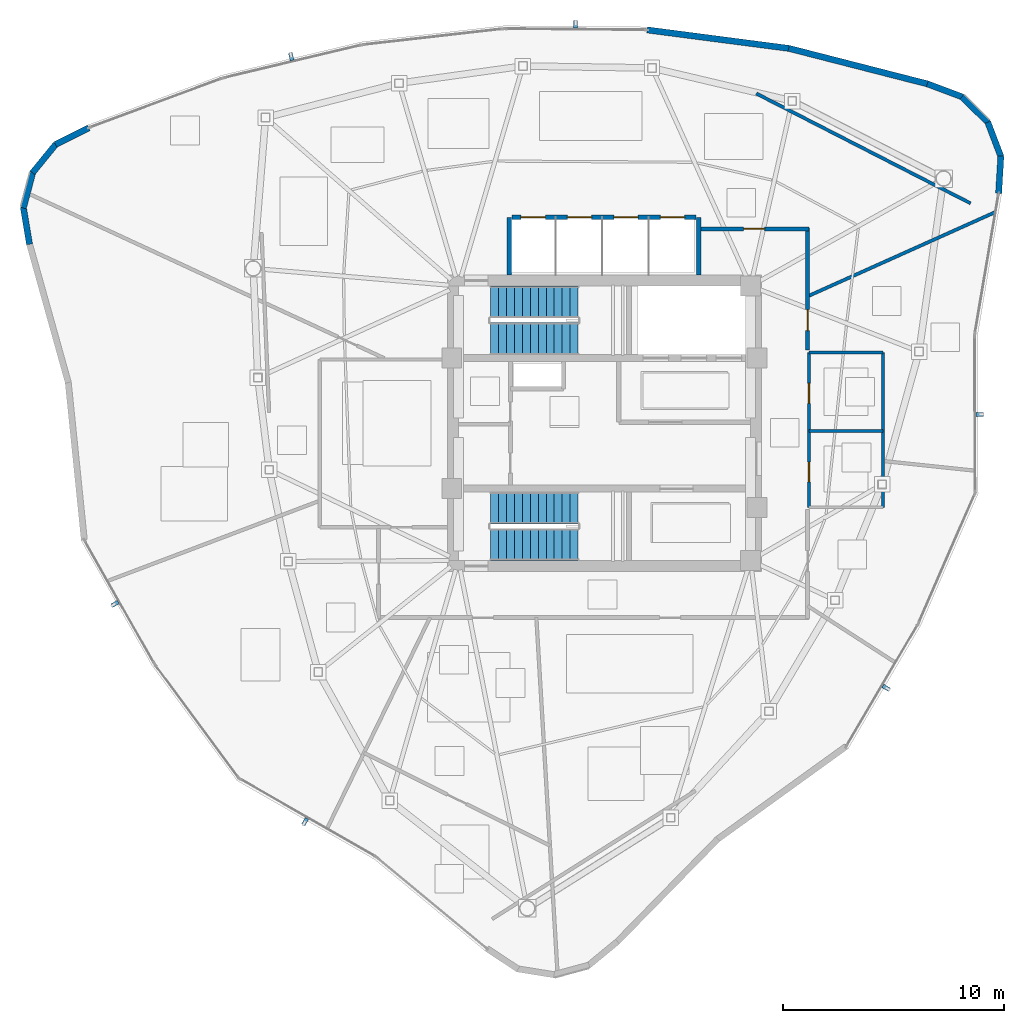
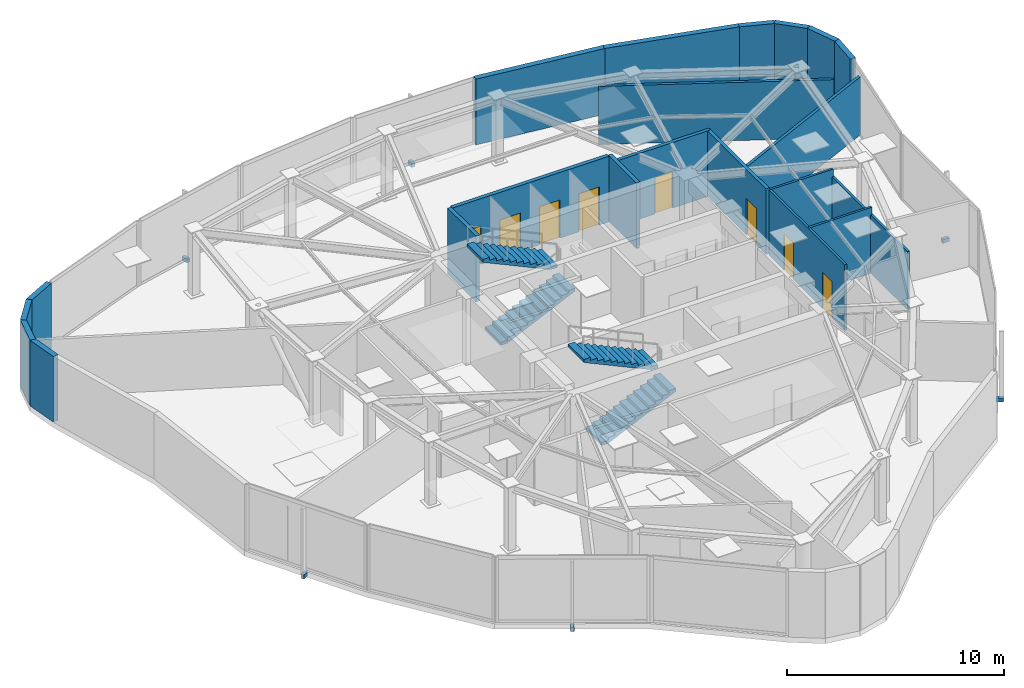
# One storey, part 9 of 11: 21 walls, 8 doors, 6 discrete accessories, 4 stair flights, 8 openings, 2 elements without a shape of their own.
"""IFC4 building model written with IfcOpenShell, lengths in metres."""

from ifc_helpers import new_model, si_unit, direction, frame, frame_2d, origin, origin_2d, place, context, subcontext, project, spatial, polyline, rectangle, outline, extrude, source, transform, mapped, material, layer, layer_set, type_object, type_shapes, element, fill, aggregate, save


model = new_model("IFC4")

# Units and contexts
model_context = context("Model", 3, precision=1e-05, world=origin(), true_north=direction((0.0, 1.0)))
body_context = subcontext(model_context, "Body", "Model", "MODEL_VIEW")
ifc_project = project(units=[si_unit("LENGTHUNIT", "METRE"), si_unit("AREAUNIT", "SQUARE_METRE"), si_unit("VOLUMEUNIT", "CUBIC_METRE"), si_unit("PLANEANGLEUNIT", "RADIAN"), si_unit("MASSUNIT", "GRAM", prefix="KILO")], contexts=[model_context])

# Site, building, storey
site_placement = place(None, origin())
site = spatial("IfcSite", under=ifc_project, at=site_placement, CompositionType="ELEMENT")
building_placement = place(site_placement, origin())
building = spatial("IfcBuilding", under=site, at=building_placement, Name="Tavelor Broadcast Tower", CompositionType="ELEMENT")
storey_placement = place(building_placement, frame((0.0, 0.0, 309.5)))
storey = spatial("IfcBuildingStorey", under=building, at=storey_placement, Name="L74", CompositionType="ELEMENT", Elevation=309.5)

# Wall, opening, door
ifc_material_1 = material(Name="Calcium Silicate Fire Board 180 mm", Category="gypsum")
ifc_layer_1 = layer(ifc_material_1, 0.179931640625)
ifc_layer_set_1 = layer_set([ifc_layer_1], Name="Calcium Silicate Fire Board 180 mm")
wall_type_1 = type_object("IfcWallType", Name="Fire-Rated Corridor Partition Wall 180 mm", PredefinedType="PARTITIONING", material=ifc_layer_set_1)
wall_1_placement = place(storey_placement, frame((54.300048828125, 53.780029296875, 0.0), z_axis=(0.0, 0.0, 1.0), x_axis=(1.0, 0.0, 0.0)))
wall_1 = element("IfcWall", 1, at=wall_1_placement, inside=storey, type_object=wall_type_1, Name="L74 Corridor Compartment Wall 01", PredefinedType="PARTITIONING", context=body_context, shape_type="SweptSolid", body=[
    extrude(rectangle(XDim=4.929931640625, YDim=0.179931640625, at=frame_2d((2.46484375, 0.0))), origin(), (0.0, 0.0, 1.0), 3.699951171875),
])
opening_1_placement = place(wall_1_placement, frame((1.989990234375, 0.0, 0.0)))
opening_1 = element("IfcOpeningElement", 2, at=opening_1_placement, cuts=wall_1, Name="Opening DR18", PredefinedType="OPENING", context=body_context, shape_type="SweptSolid", body=[
    extrude(rectangle(XDim=0.949951171875, YDim=2.050048828125, at=frame_2d((0.47509765625, 1.02490234375))), frame((0.0, 0.10009765625, 0.0), z_axis=(0.0, -1.0, 0.0), x_axis=(1.0, 0.0, 0.0)), (0.0, 0.0, 1.0), 0.199951171875),
])
ifc_material_2 = material(Name="Timber Solid Core Hardwood", Category="wood")
door_type_1 = type_object("IfcDoorType", Name="Corridor Rated Compartment Door 950x2050", OperationType="NOTDEFINED", PredefinedType="DOOR", material=ifc_material_2)
door_1_placement = place(opening_1_placement, origin())
door_1 = element("IfcDoor", 3, at=door_1_placement, inside=storey, type_object=door_type_1, Name="L74 Executive Reading Study Door R6", OperationType="SINGLE_SWING_RIGHT", OverallHeight=2.050048828125, OverallWidth=0.949951171875, PredefinedType="DOOR", context=body_context, shape_type="SweptSolid", body=[
    extrude(rectangle(XDim=0.949951171875, YDim=2.050048828125, at=frame_2d((0.47509765625, 1.02490234375))), frame((0.0, 0.02490234375, 0.0), z_axis=(0.0, -1.0, 0.0), x_axis=(1.0, 0.0, 0.0)), (0.0, 0.0, 1.0), 0.050048828125),
])
fill(opening_1, door_1)

wall_2_placement = place(storey_placement, frame((59.179931640625, 53.830078125, 0.0), z_axis=(0.0, 0.0, 1.0), x_axis=(0.0, -1.0, 0.0)))
wall_2 = element("IfcWall", 4, at=wall_2_placement, inside=storey, type_object=wall_type_1, Name="L74 Corridor Compartment Wall 02", PredefinedType="PARTITIONING", context=body_context, shape_type="SweptSolid", body=[
    extrude(rectangle(XDim=5.530029296875, YDim=0.179931640625, at=frame_2d((2.76513671875, 0.0))), origin(), (0.0, 0.0, 1.0), 3.699951171875),
])
opening_2_placement = place(wall_2_placement, frame((3.7001953125, 0.0, 0.0)))
opening_2 = element("IfcOpeningElement", 5, at=opening_2_placement, cuts=wall_2, Name="Opening DR18", PredefinedType="OPENING", context=body_context, shape_type="SweptSolid", body=[
    extrude(rectangle(XDim=0.949951171875, YDim=2.050048828125, at=frame_2d((0.47509765625, 1.02490234375))), frame((0.0, 0.10009765625, 0.0), z_axis=(0.0, -1.0, 0.0), x_axis=(1.0, 0.0, 0.0)), (0.0, 0.0, 1.0), 0.199951171875),
])
door_2_placement = place(opening_2_placement, origin())
door_2 = element("IfcDoor", 6, at=door_2_placement, inside=storey, type_object=door_type_1, Name="L74 Broadcast Crew Room Door R0", OperationType="SINGLE_SWING_LEFT", OverallHeight=2.050048828125, OverallWidth=0.949951171875, PredefinedType="DOOR", context=body_context, shape_type="SweptSolid", body=[
    extrude(rectangle(XDim=0.949951171875, YDim=2.050048828125, at=frame_2d((0.47509765625, 1.02490234375))), frame((0.0, 0.02490234375, 0.0), z_axis=(0.0, -1.0, 0.0), x_axis=(1.0, 0.0, 0.0)), (0.0, 0.0, 1.0), 0.050048828125),
])
fill(opening_2, door_2)

# Walls
ifc_material_3 = material(Name="Precast Concrete C40/50", Category="concrete")
ifc_layer_2 = layer(ifc_material_3, 0.280029296875)
ifc_layer_set_2 = layer_set([ifc_layer_2], Name="Precast Concrete C40/50")
wall_type_2 = type_object("IfcWallType", Name="Insulated Precast Terracotta Facade Wall 280 mm", PredefinedType="STANDARD", material=ifc_layer_set_2)
wall_3_placement = place(storey_placement, frame((26.700927734375, 58.345703125, 0.0), z_axis=(0.0, 0.0, 1.0), x_axis=(-0.894543147064, -0.446981608168, 0.0)))
element("IfcWall", 7, at=wall_3_placement, inside=storey, type_object=wall_type_2, Name="L74 Rounded Corner Structural Cladding Pier 01", PredefinedType="STANDARD", context=body_context, shape_type="SweptSolid", body=[
    extrude(rectangle(XDim=1.683837890625, YDim=0.280029296875, at=frame_2d((0.841796875, 0.0))), origin(), (0.0, 0.0, 1.0), 3.699951171875),
])
for number, where, z_axis, x_axis, name in (
    (8, (25.217529296875, 57.611328125, 0.0), (0.0, 0.0, 1.0), (-0.631295905222, -0.775542055629, 0.0), "L74 Rounded Corner Structural Cladding Pier 02"),
    (9, (24.175048828125, 56.340576171875, 0.0), (0.0, 0.0, 1.0), (-0.256253740023, -0.966609549262, 0.0), "L74 Rounded Corner Structural Cladding Pier 03"),
):
    element("IfcWall", number, at=place(storey_placement, frame(where, z_axis=z_axis, x_axis=x_axis)), inside=storey, type_object=wall_type_2, Name=name, PredefinedType="STANDARD", context=body_context, shape_type="SweptSolid", body=[
        extrude(rectangle(XDim=1.672119140625, YDim=0.280029296875, at=frame_2d((0.8359375, 0.0))), origin(), (0.0, 0.0, 1.0), 3.699951171875),
    ])
wall_4_placement = place(storey_placement, frame((23.747802734375, 54.753662109375, 0.0), z_axis=(0.0, 0.0, 1.0), x_axis=(0.164212114239, -0.98642505115, 0.0)))
element("IfcWall", 10, at=wall_4_placement, inside=storey, type_object=wall_type_2, Name="L74 Rounded Corner Structural Cladding Pier 04", PredefinedType="STANDARD", context=body_context, shape_type="SweptSolid", body=[
    extrude(rectangle(XDim=1.69482421875, YDim=0.280029296875, at=frame_2d((0.847412109375, 0.0))), origin(), (0.0, 0.0, 1.0), 3.699951171875),
])
wall_5_placement = place(storey_placement, frame((67.80712890625, 55.38720703125, 0.0), z_axis=(0.0, 0.0, 1.0), x_axis=(0.060175471085, 0.998187814331, 0.0)))
element("IfcWall", 11, at=wall_5_placement, inside=storey, type_object=wall_type_2, Name="L74 Rounded Corner Structural Cladding Pier 21", PredefinedType="STANDARD", context=body_context, shape_type="SweptSolid", body=[
    extrude(rectangle(XDim=1.68359375, YDim=0.280029296875, at=frame_2d((0.841796875, 0.0))), origin(), (0.0, 0.0, 1.0), 3.699951171875),
])
wall_6_placement = place(storey_placement, frame((67.912841796875, 57.038818359375, 0.0), z_axis=(0.0, 0.0, 1.0), x_axis=(-0.355807107769, 0.934559416014, 0.0)))
element("IfcWall", 12, at=wall_6_placement, inside=storey, type_object=wall_type_2, Name="L74 Rounded Corner Structural Cladding Pier 22", PredefinedType="STANDARD", context=body_context, shape_type="SweptSolid", body=[
    extrude(rectangle(XDim=1.672119140625, YDim=0.280029296875, at=frame_2d((0.8359375, 0.0))), origin(), (0.0, 0.0, 1.0), 3.699951171875),
])
wall_7_placement = place(storey_placement, frame((67.333740234375, 58.576904296875, 0.0), z_axis=(0.0, 0.0, 1.0), x_axis=(-0.708929306189, 0.705279546581, 0.0)))
element("IfcWall", 13, at=wall_7_placement, inside=storey, type_object=wall_type_2, Name="L74 Rounded Corner Structural Cladding Pier 23", PredefinedType="STANDARD", context=body_context, shape_type="SweptSolid", body=[
    extrude(rectangle(XDim=1.67236328125, YDim=0.280029296875, at=frame_2d((0.836181640625, 0.0))), origin(), (0.0, 0.0, 1.0), 3.699951171875),
])
wall_8_placement = place(storey_placement, frame((66.1728515625, 59.740478515625, 0.0), z_axis=(0.0, 0.0, 1.0), x_axis=(-0.936352855596, 0.351060293706, 0.0)))
element("IfcWall", 14, at=wall_8_placement, inside=storey, type_object=wall_type_2, Name="L74 Rounded Corner Structural Cladding Pier 24", PredefinedType="STANDARD", context=body_context, shape_type="SweptSolid", body=[
    extrude(rectangle(XDim=1.69482421875, YDim=0.280029296875, at=frame_2d((0.847412109375, 0.0))), origin(), (0.0, 0.0, 1.0), 3.699951171875),
])
wall_9_placement = place(storey_placement, frame((64.614501953125, 60.326416015625, 0.0), z_axis=(0.0, 0.0, 1.0), x_axis=(-0.968683575286, 0.248298471545, 0.0)))
element("IfcWall", 15, at=wall_9_placement, inside=storey, type_object=wall_type_2, Name="L74 Rounded Corner Structural Cladding Pier 25", PredefinedType="STANDARD", context=body_context, shape_type="SweptSolid", body=[
    extrude(rectangle(XDim=6.494384765625, YDim=0.280029296875, at=frame_2d((3.2470703125, 0.0))), origin(), (0.0, 0.0, 1.0), 3.699951171875),
])
wall_10_placement = place(storey_placement, frame((58.352783203125, 61.93310546875, 0.0), z_axis=(0.0, 0.0, 1.0), x_axis=(-0.991610489171, 0.129261896036, 0.0)))
element("IfcWall", 16, at=wall_10_placement, inside=storey, type_object=wall_type_2, Name="L74 Rounded Corner Structural Cladding Pier 26", PredefinedType="STANDARD", context=body_context, shape_type="SweptSolid", body=[
    extrude(rectangle(XDim=6.482177734375, YDim=0.280029296875, at=frame_2d((3.2412109375, 0.0))), origin(), (0.0, 0.0, 1.0), 3.699951171875),
])
ifc_material_4 = material(Name="Gypsum Acoustic Plasterboard 150 mm", Category="gypsum")
ifc_layer_3 = layer(ifc_material_4, 0.14990234375)
ifc_layer_set_3 = layer_set([ifc_layer_3], Name="Gypsum Acoustic Plasterboard 150 mm")
wall_type_3 = type_object("IfcWallType", Name="Interior Acoustic Partition Wall 150 mm", PredefinedType="PARTITIONING", material=ifc_layer_set_3)
wall_11_placement = place(storey_placement, frame((66.542724609375, 54.934326171875, 0.0), z_axis=(0.0, 0.0, 1.0), x_axis=(-0.889966951661, 0.456025026673, 0.0)))
element("IfcWall", 17, at=wall_11_placement, inside=storey, type_object=wall_type_3, Name="L74 Corner Tube Brace Furring Wall 3", PredefinedType="PARTITIONING", context=body_context, shape_type="SweptSolid", body=[
    extrude(rectangle(XDim=10.878662109375, YDim=0.14990234375, at=frame_2d((5.439453125, 0.0))), origin(), (0.0, 0.0, 1.0), 3.27490234375),
])
wall_12_placement = place(storey_placement, frame((59.179931640625, 50.73486328125, 0.0), z_axis=(0.0, 0.0, 1.0), x_axis=(0.912351299783, 0.40940823854, 0.0)))
element("IfcWall", 18, at=wall_12_placement, inside=storey, type_object=wall_type_3, Name="L74 Radial Compartment Wall 05", PredefinedType="PARTITIONING", context=body_context, shape_type="SweptSolid", body=[
    extrude(rectangle(XDim=9.310546875, YDim=0.14990234375, at=frame_2d((4.6552734375, 0.0))), origin(), (0.0, 0.0, 1.0), 3.27490234375),
])

# Wall, openings, doors
ifc_material_5 = material(Name="Concrete Blockwork 200 mm", Category="masonry")
ifc_layer_4 = layer(ifc_material_5, 0.199951171875)
ifc_layer_set_4 = layer_set([ifc_layer_4], Name="Concrete Blockwork 200 mm")
wall_type_4 = type_object("IfcWallType", Name="Lift Hoistway Rated Front Wall 200 mm", PredefinedType="PARTITIONING", material=ifc_layer_set_4)
wall_13_placement = place(storey_placement, frame((45.820068359375, 54.300048828125, 0.0), z_axis=(0.0, 0.0, 1.0), x_axis=(1.0, 0.0, 0.0)))
wall_13 = element("IfcWall", 19, at=wall_13_placement, inside=storey, type_object=wall_type_4, Name="L74 High-Rise Lift Hoistway Front Wall", PredefinedType="PARTITIONING", context=body_context, shape_type="SweptSolid", body=[
    extrude(rectangle(XDim=8.309814453125, YDim=0.199951171875, at=frame_2d((4.15478515625, 0.0))), origin(), (0.0, 0.0, 1.0), 3.699951171875),
])
opening_3_placement = place(wall_13_placement, frame((0.405029296875, 0.0, 0.0)))
opening_3 = element("IfcOpeningElement", 20, at=opening_3_placement, cuts=wall_13, Name="Opening LD01", PredefinedType="OPENING", context=body_context, shape_type="SweptSolid", body=[
    extrude(rectangle(XDim=1.10009765625, YDim=2.14990234375, at=frame_2d((0.550048828125, 1.074951171875))), frame((0.0, 0.10986328125, 0.0), z_axis=(0.0, -1.0, 0.0), x_axis=(1.0, 0.0, 0.0)), (0.0, 0.0, 1.0), 0.219970703125),
])
opening_4_placement = place(wall_13_placement, frame((2.5048828125, 0.0, 0.0)))
opening_4 = element("IfcOpeningElement", 21, at=opening_4_placement, cuts=wall_13, Name="Opening LD01", PredefinedType="OPENING", context=body_context, shape_type="SweptSolid", body=[
    extrude(rectangle(XDim=1.10009765625, YDim=2.14990234375, at=frame_2d((0.550048828125, 1.074951171875))), frame((0.0, 0.10986328125, 0.0), z_axis=(0.0, -1.0, 0.0), x_axis=(1.0, 0.0, 0.0)), (0.0, 0.0, 1.0), 0.219970703125),
])
opening_5_placement = place(wall_13_placement, frame((4.60498046875, 0.0, 0.0)))
opening_5 = element("IfcOpeningElement", 22, at=opening_5_placement, cuts=wall_13, Name="Opening LD01", PredefinedType="OPENING", context=body_context, shape_type="SweptSolid", body=[
    extrude(rectangle(XDim=1.10009765625, YDim=2.14990234375, at=frame_2d((0.550048828125, 1.074951171875))), frame((0.0, 0.10986328125, 0.0), z_axis=(0.0, -1.0, 0.0), x_axis=(1.0, 0.0, 0.0)), (0.0, 0.0, 1.0), 0.219970703125),
])
opening_6_placement = place(wall_13_placement, frame((6.705078125, 0.0, 0.0)))
opening_6 = element("IfcOpeningElement", 23, at=opening_6_placement, cuts=wall_13, Name="Opening LD01", PredefinedType="OPENING", context=body_context, shape_type="SweptSolid", body=[
    extrude(rectangle(XDim=1.10009765625, YDim=2.14990234375, at=frame_2d((0.550048828125, 1.074951171875))), frame((0.0, 0.10986328125, 0.0), z_axis=(0.0, -1.0, 0.0), x_axis=(1.0, 0.0, 0.0)), (0.0, 0.0, 1.0), 0.219970703125),
])
ifc_material_6 = material(Name="Brushed Stainless Steel", Category="steel")
door_type_2 = type_object("IfcDoorType", Name="Passenger Lift Sliding Landing Door 1100x2150", OperationType="NOTDEFINED", PredefinedType="DOOR", material=ifc_material_6)
door_3_placement = place(opening_3_placement, origin())
door_3 = element("IfcDoor", 24, at=door_3_placement, inside=storey, type_object=door_type_2, Name="L74 Lift PLH1 Sliding Landing Door", OperationType="SLIDING_TO_LEFT", OverallHeight=2.14990234375, OverallWidth=1.10009765625, PredefinedType="DOOR", context=body_context, shape_type="SweptSolid", body=[
    extrude(rectangle(XDim=1.10009765625, YDim=2.14990234375, at=frame_2d((0.550048828125, 1.074951171875))), frame((0.0, 0.02490234375, 0.0), z_axis=(0.0, -1.0, 0.0), x_axis=(1.0, 0.0, 0.0)), (0.0, 0.0, 1.0), 0.050048828125),
])
fill(opening_3, door_3)
door_4_placement = place(opening_4_placement, origin())
door_4 = element("IfcDoor", 25, at=door_4_placement, inside=storey, type_object=door_type_2, Name="L74 Lift PLH2 Sliding Landing Door", OperationType="SLIDING_TO_RIGHT", OverallHeight=2.14990234375, OverallWidth=1.10009765625, PredefinedType="DOOR", context=body_context, shape_type="SweptSolid", body=[
    extrude(rectangle(XDim=1.10009765625, YDim=2.14990234375, at=frame_2d((0.550048828125, 1.074951171875))), frame((0.0, 0.02490234375, 0.0), z_axis=(0.0, -1.0, 0.0), x_axis=(1.0, 0.0, 0.0)), (0.0, 0.0, 1.0), 0.050048828125),
])
fill(opening_4, door_4)
door_5_placement = place(opening_5_placement, origin())
door_5 = element("IfcDoor", 26, at=door_5_placement, inside=storey, type_object=door_type_2, Name="L74 Lift PLH3 Sliding Landing Door", OperationType="SLIDING_TO_LEFT", OverallHeight=2.14990234375, OverallWidth=1.10009765625, PredefinedType="DOOR", context=body_context, shape_type="SweptSolid", body=[
    extrude(rectangle(XDim=1.10009765625, YDim=2.14990234375, at=frame_2d((0.550048828125, 1.074951171875))), frame((0.0, 0.02490234375, 0.0), z_axis=(0.0, -1.0, 0.0), x_axis=(1.0, 0.0, 0.0)), (0.0, 0.0, 1.0), 0.050048828125),
])
fill(opening_5, door_5)
door_6_placement = place(opening_6_placement, origin())
door_6 = element("IfcDoor", 27, at=door_6_placement, inside=storey, type_object=door_type_2, Name="L74 Lift PLH4 Sliding Landing Door", OperationType="SLIDING_TO_RIGHT", OverallHeight=2.14990234375, OverallWidth=1.10009765625, PredefinedType="DOOR", context=body_context, shape_type="SweptSolid", body=[
    extrude(rectangle(XDim=1.10009765625, YDim=2.14990234375, at=frame_2d((0.550048828125, 1.074951171875))), frame((0.0, 0.02490234375, 0.0), z_axis=(0.0, -1.0, 0.0), x_axis=(1.0, 0.0, 0.0)), (0.0, 0.0, 1.0), 0.050048828125),
])
fill(opening_6, door_6)

# Walls
ifc_layer_5 = layer(ifc_material_5, 0.199951171875)
ifc_layer_set_5 = layer_set([ifc_layer_5], Name="Concrete Blockwork 200 mm")
wall_type_5 = type_object("IfcWallType", Name="Lift and Riser Shaft Enclosure Wall 200 mm", PredefinedType="PARTITIONING", material=ifc_layer_set_5)
for number, where, z_axis, x_axis, name in (
    (28, (45.699951171875, 51.699951171875, 0.0), (0.0, 0.0, 1.0), (0.0, 1.0, 0.0), "L74 High-Rise Lift Shaft West Wall"),
    (29, (54.25, 51.699951171875, 0.0), (0.0, 0.0, 1.0), (0.0, 1.0, 0.0), "L74 High-Rise Lift Shaft East Wall"),
):
    element("IfcWall", number, at=place(storey_placement, frame(where, z_axis=z_axis, x_axis=x_axis)), inside=storey, type_object=wall_type_5, Name=name, PredefinedType="PARTITIONING", context=body_context, shape_type="SweptSolid", body=[
        extrude(rectangle(XDim=2.60009765625, YDim=0.199951171875, at=frame_2d((1.300048828125, 0.0))), origin(), (0.0, 0.0, 1.0), 3.699951171875),
    ])

# Wall, openings, doors
ifc_material_7 = material(Name="Moisture-Resistant Plasterboard 120 mm", Category="gypsum")
ifc_layer_6 = layer(ifc_material_7, 0.1201171875)
ifc_layer_set_6 = layer_set([ifc_layer_6], Name="Moisture-Resistant Plasterboard 120 mm")
wall_type_6 = type_object("IfcWallType", Name="Moisture-Resistant Wet-Room Partition 120 mm", PredefinedType="PARTITIONING", material=ifc_layer_set_6)
wall_14_placement = place(storey_placement, frame((59.239990234375, 41.199951171875, 0.0), z_axis=(0.0, 0.0, 1.0), x_axis=(0.0, 1.0, 0.0)))
wall_14 = element("IfcWall", 30, at=wall_14_placement, inside=storey, type_object=wall_type_6, Name="L74 Floor Washrooms West Wall", PredefinedType="PARTITIONING", context=body_context, shape_type="SweptSolid", body=[
    extrude(rectangle(XDim=7.0, YDim=0.1201171875, at=frame_2d((3.5, 0.0))), origin(), (0.0, 0.0, 1.0), 3.699951171875),
])
opening_7_placement = place(wall_14_placement, frame((1.14990234375, 0.0, 0.0)))
opening_7 = element("IfcOpeningElement", 31, at=opening_7_placement, cuts=wall_14, Name="Opening DR32", PredefinedType="OPENING", context=body_context, shape_type="SweptSolid", body=[
    extrude(rectangle(XDim=0.89990234375, YDim=2.050048828125, at=frame_2d((0.449951171875, 1.02490234375))), frame((0.0, 0.070068359375, 0.0), z_axis=(0.0, -1.0, 0.0), x_axis=(1.0, 0.0, 0.0)), (0.0, 0.0, 1.0), 0.14013671875),
])
opening_8_placement = place(wall_14_placement, frame((4.699951171875, 0.0, 0.0)))
opening_8 = element("IfcOpeningElement", 32, at=opening_8_placement, cuts=wall_14, Name="Opening DR32", PredefinedType="OPENING", context=body_context, shape_type="SweptSolid", body=[
    extrude(rectangle(XDim=0.89990234375, YDim=2.050048828125, at=frame_2d((0.449951171875, 1.02490234375))), frame((0.0, 0.070068359375, 0.0), z_axis=(0.0, -1.0, 0.0), x_axis=(1.0, 0.0, 0.0)), (0.0, 0.0, 1.0), 0.14013671875),
])
door_type_3 = type_object("IfcDoorType", Name="Accessible Washroom Door 900x2050", OperationType="NOTDEFINED", PredefinedType="DOOR", material=ifc_material_2)
door_7_placement = place(opening_7_placement, origin())
door_7 = element("IfcDoor", 33, at=door_7_placement, inside=storey, type_object=door_type_3, Name="L74 Accessible WC Door", OperationType="SINGLE_SWING_LEFT", OverallHeight=2.050048828125, OverallWidth=0.89990234375, PredefinedType="DOOR", context=body_context, shape_type="SweptSolid", body=[
    extrude(rectangle(XDim=0.89990234375, YDim=2.050048828125, at=frame_2d((0.449951171875, 1.02490234375))), frame((0.0, 0.02490234375, 0.0), z_axis=(0.0, -1.0, 0.0), x_axis=(1.0, 0.0, 0.0)), (0.0, 0.0, 1.0), 0.050048828125),
])
fill(opening_7, door_7)
door_8_placement = place(opening_8_placement, origin())
door_8 = element("IfcDoor", 34, at=door_8_placement, inside=storey, type_object=door_type_3, Name="L74 Staff Washroom WC Door", OperationType="SINGLE_SWING_RIGHT", OverallHeight=2.050048828125, OverallWidth=0.89990234375, PredefinedType="DOOR", context=body_context, shape_type="SweptSolid", body=[
    extrude(rectangle(XDim=0.89990234375, YDim=2.050048828125, at=frame_2d((0.449951171875, 1.02490234375))), frame((0.0, 0.02490234375, 0.0), z_axis=(0.0, -1.0, 0.0), x_axis=(1.0, 0.0, 0.0)), (0.0, 0.0, 1.0), 0.050048828125),
])
fill(opening_8, door_8)

# Walls
for number, where, z_axis, x_axis, name in (
    (35, (59.239990234375, 44.64990234375, 0.0), (0.0, 0.0, 1.0), (1.0, 0.0, 0.0), "L74 Floor Washrooms Divider Wall"),
    (36, (59.239990234375, 48.199951171875, 0.0), (0.0, 0.0, 1.0), (1.0, 0.0, 0.0), "L74 Floor Washrooms North Wall"),
):
    element("IfcWall", number, at=place(storey_placement, frame(where, z_axis=z_axis, x_axis=x_axis)), inside=storey, type_object=wall_type_6, Name=name, PredefinedType="PARTITIONING", context=body_context, shape_type="SweptSolid", body=[
        extrude(rectangle(XDim=3.340087890625, YDim=0.1201171875, at=frame_2d((1.669921875, 0.0))), origin(), (0.0, 0.0, 1.0), 3.699951171875),
    ])
wall_15_placement = place(storey_placement, frame((62.580078125, 41.199951171875, 0.0), z_axis=(0.0, 0.0, 1.0), x_axis=(0.0, 1.0, 0.0)))
element("IfcWall", 37, at=wall_15_placement, inside=storey, type_object=wall_type_6, Name="L74 Floor Washrooms East Wall", PredefinedType="PARTITIONING", context=body_context, shape_type="SweptSolid", body=[
    extrude(rectangle(XDim=7.0, YDim=0.1201171875, at=frame_2d((3.5, 0.0))), origin(), (0.0, 0.0, 1.0), 3.27490234375),
])

# Stair, stair flights
ifc_material_8 = material(Name="Concrete C40/50", Category="concrete")
stair_type = type_object("IfcStairType", Name="Reinforced Concrete Protected Dogleg Stair 1450 mm", PredefinedType="HALF_TURN_STAIR", material=ifc_material_8)
stair_1_placement = place(storey_placement, origin())
stair_1 = element("IfcStair", 38, at=stair_1_placement, inside=storey, type_object=stair_type, Name="L74 Protected Core Exit Stair ST1", PredefinedType="HALF_TURN_STAIR")
stair_flight_type = type_object("IfcStairFlightType", Name="Reinforced Concrete Stair Flight 1450 mm", PredefinedType="STRAIGHT", material=ifc_material_8)
stair_flight_1_placement = place(storey_placement, frame((44.85009765625, 48.824951171875, 0.0), z_axis=(0.0, 0.0, 1.0), x_axis=(1.0, 0.0, 0.0)))
stair_flight_1 = element("IfcStairFlight", 39, at=stair_flight_1_placement, type_object=stair_flight_type, Name="ST1 flight 1", NumberOfRisers=12, NumberOfTreads=11, PredefinedType="STRAIGHT", RiserHeight=0.166666667, TreadLength=0.36, context=body_context, shape_type="SweptSolid", body=[
    extrude(outline(polyline([(0.0, 0.0), (0.0, 0.166748046875), (0.360107421875, 0.166748046875), (0.360107421875, 0.333251953125), (0.719970703125, 0.333251953125), (0.719970703125, 0.5), (1.080078125, 0.5), (1.080078125, 0.666748046875), (1.43994140625, 0.666748046875), (1.43994140625, 0.833251953125), (1.800048828125, 0.833251953125), (1.800048828125, 1.0), (2.159912109375, 1.0), (2.159912109375, 1.166748046875), (2.52001953125, 1.166748046875), (2.52001953125, 1.333251953125), (2.8798828125, 1.333251953125), (2.8798828125, 1.5), (3.239990234375, 1.5), (3.239990234375, 1.666748046875), (3.60009765625, 1.666748046875), (3.60009765625, 1.833251953125), (3.9599609375, 1.833251953125), (3.9599609375, 2.0), (3.9599609375, 1.668212890625), (0.356689453125, 0.0), (0.0, 0.0)])), frame((0.0, 0.72509765625, 0.0), z_axis=(0.0, -1.0, 0.0), x_axis=(1.0, 0.0, 0.0)), (0.0, 0.0, 1.0), 1.449951171875),
])
stair_flight_2_placement = place(storey_placement, frame((48.81005859375, 50.47509765625, 2.0), z_axis=(0.0, 0.0, 1.0), x_axis=(-1.0, 0.0, 0.0)))
stair_flight_2 = element("IfcStairFlight", 40, at=stair_flight_2_placement, type_object=stair_flight_type, Name="ST1 flight 2", NumberOfRisers=12, NumberOfTreads=11, PredefinedType="STRAIGHT", RiserHeight=0.166666667, TreadLength=0.36, context=body_context, shape_type="SweptSolid", body=[
    extrude(outline(polyline([(0.0, 0.0), (0.0, 0.166748046875), (0.360107421875, 0.166748046875), (0.360107421875, 0.333251953125), (0.719970703125, 0.333251953125), (0.719970703125, 0.5), (1.080078125, 0.5), (1.080078125, 0.666748046875), (1.43994140625, 0.666748046875), (1.43994140625, 0.833251953125), (1.800048828125, 0.833251953125), (1.800048828125, 1.0), (2.159912109375, 1.0), (2.159912109375, 1.166748046875), (2.52001953125, 1.166748046875), (2.52001953125, 1.333251953125), (2.8798828125, 1.333251953125), (2.8798828125, 1.5), (3.239990234375, 1.5), (3.239990234375, 1.666748046875), (3.60009765625, 1.666748046875), (3.60009765625, 1.833251953125), (3.9599609375, 1.833251953125), (3.9599609375, 2.0), (3.9599609375, 1.668212890625), (0.356689453125, 0.0), (0.0, 0.0)])), frame((0.0, 0.72509765625, 0.0), z_axis=(0.0, -1.0, 0.0), x_axis=(1.0, 0.0, 0.0)), (0.0, 0.0, 1.0), 1.449951171875),
])
aggregate(stair_1, [stair_flight_1, stair_flight_2])

stair_2_placement = place(storey_placement, origin())
stair_2 = element("IfcStair", 41, at=stair_2_placement, inside=storey, type_object=stair_type, Name="L74 Protected Core Exit Stair ST2", PredefinedType="HALF_TURN_STAIR")
stair_flight_3_placement = place(storey_placement, frame((44.85009765625, 39.52490234375, 0.0), z_axis=(0.0, 0.0, 1.0), x_axis=(1.0, 0.0, 0.0)))
stair_flight_3 = element("IfcStairFlight", 42, at=stair_flight_3_placement, type_object=stair_flight_type, Name="ST2 flight 1", NumberOfRisers=12, NumberOfTreads=11, PredefinedType="STRAIGHT", RiserHeight=0.166666667, TreadLength=0.36, context=body_context, shape_type="SweptSolid", body=[
    extrude(outline(polyline([(0.0, 0.0), (0.0, 0.166748046875), (0.360107421875, 0.166748046875), (0.360107421875, 0.333251953125), (0.719970703125, 0.333251953125), (0.719970703125, 0.5), (1.080078125, 0.5), (1.080078125, 0.666748046875), (1.43994140625, 0.666748046875), (1.43994140625, 0.833251953125), (1.800048828125, 0.833251953125), (1.800048828125, 1.0), (2.159912109375, 1.0), (2.159912109375, 1.166748046875), (2.52001953125, 1.166748046875), (2.52001953125, 1.333251953125), (2.8798828125, 1.333251953125), (2.8798828125, 1.5), (3.239990234375, 1.5), (3.239990234375, 1.666748046875), (3.60009765625, 1.666748046875), (3.60009765625, 1.833251953125), (3.9599609375, 1.833251953125), (3.9599609375, 2.0), (3.9599609375, 1.668212890625), (0.356689453125, 0.0), (0.0, 0.0)])), frame((0.0, 0.72509765625, 0.0), z_axis=(0.0, -1.0, 0.0), x_axis=(1.0, 0.0, 0.0)), (0.0, 0.0, 1.0), 1.449951171875),
])
stair_flight_4_placement = place(storey_placement, frame((48.81005859375, 41.175048828125, 2.0), z_axis=(0.0, 0.0, 1.0), x_axis=(-1.0, 0.0, 0.0)))
stair_flight_4 = element("IfcStairFlight", 43, at=stair_flight_4_placement, type_object=stair_flight_type, Name="ST2 flight 2", NumberOfRisers=12, NumberOfTreads=11, PredefinedType="STRAIGHT", RiserHeight=0.166666667, TreadLength=0.36, context=body_context, shape_type="SweptSolid", body=[
    extrude(outline(polyline([(0.0, 0.0), (0.0, 0.166748046875), (0.360107421875, 0.166748046875), (0.360107421875, 0.333251953125), (0.719970703125, 0.333251953125), (0.719970703125, 0.5), (1.080078125, 0.5), (1.080078125, 0.666748046875), (1.43994140625, 0.666748046875), (1.43994140625, 0.833251953125), (1.800048828125, 0.833251953125), (1.800048828125, 1.0), (2.159912109375, 1.0), (2.159912109375, 1.166748046875), (2.52001953125, 1.166748046875), (2.52001953125, 1.333251953125), (2.8798828125, 1.333251953125), (2.8798828125, 1.5), (3.239990234375, 1.5), (3.239990234375, 1.666748046875), (3.60009765625, 1.666748046875), (3.60009765625, 1.833251953125), (3.9599609375, 1.833251953125), (3.9599609375, 2.0), (3.9599609375, 1.668212890625), (0.356689453125, 0.0), (0.0, 0.0)])), frame((0.0, 0.72509765625, 0.0), z_axis=(0.0, -1.0, 0.0), x_axis=(1.0, 0.0, 0.0)), (0.0, 0.0, 1.0), 1.449951171875),
])
aggregate(stair_2, [stair_flight_3, stair_flight_4])

# Discrete accessories
ifc_material_9 = material(Name="Steel S355", Category="steel")
discrete_accessory_type = type_object("IfcDiscreteAccessoryType", Name="Stainless Baguette Outrigger Support Bracket 260x180", PredefinedType="BRACKET", material=ifc_material_9)
shared_shape = source(origin(), body_context, "Body", "SweptSolid", [
    extrude(rectangle(XDim=0.179931640625, YDim=0.340087890625, at=origin_2d()), origin(), (0.0, 0.0, 1.0), 0.216064453125),
])
type_shapes(discrete_accessory_type, [shared_shape])
for number, where, z_axis, x_axis, name in (
    (44, (27.8857421875, 36.8388671875, -0.2578125), (0.0, 0.0, 1.0), (0.492727341548, -0.87018375467, 0.0), "L74 Baguette Outrigger Bracket 715"),
    (45, (36.47265625, 26.9970703125, -0.2578125), (0.0, 0.0, 1.0), (0.867591923867, -0.49727683803, 0.0), "L74 Baguette Outrigger Bracket 716"),
    (46, (62.724853515625, 33.046875, -0.2578125), (0.0, 0.0, 1.0), (0.50723756673, 0.861806272255, 0.0), "L74 Baguette Outrigger Bracket 717"),
    (47, (66.95458984375, 45.404052734375, -0.2578125), (0.0, 0.0, 1.0), (-0.003141587486, 0.999995065202, 0.0), "L74 Baguette Outrigger Bracket 718"),
    (48, (48.69921875, 63.017333984375, -0.2578125), (0.0, 0.0, 1.0), (-0.999964908278, 0.008377482415, 0.0), "L74 Baguette Outrigger Bracket 719"),
    (49, (35.849365234375, 61.558837890625, -0.2578125), (0.0, 0.0, 1.0), (-0.97265440195, -0.232257215962, 0.0), "L74 Baguette Outrigger Bracket 720"),
):
    element("IfcDiscreteAccessory", number, at=place(storey_placement, frame(where, z_axis=z_axis, x_axis=x_axis)), inside=storey, type_object=discrete_accessory_type, Name=name, PredefinedType="BRACKET", context=body_context, shape_type="MappedRepresentation", body=[
        mapped(shared_shape, transform((0.0, 0.0, 0.0), scale=1.0)),
    ])

save(model, "model.ifc")
